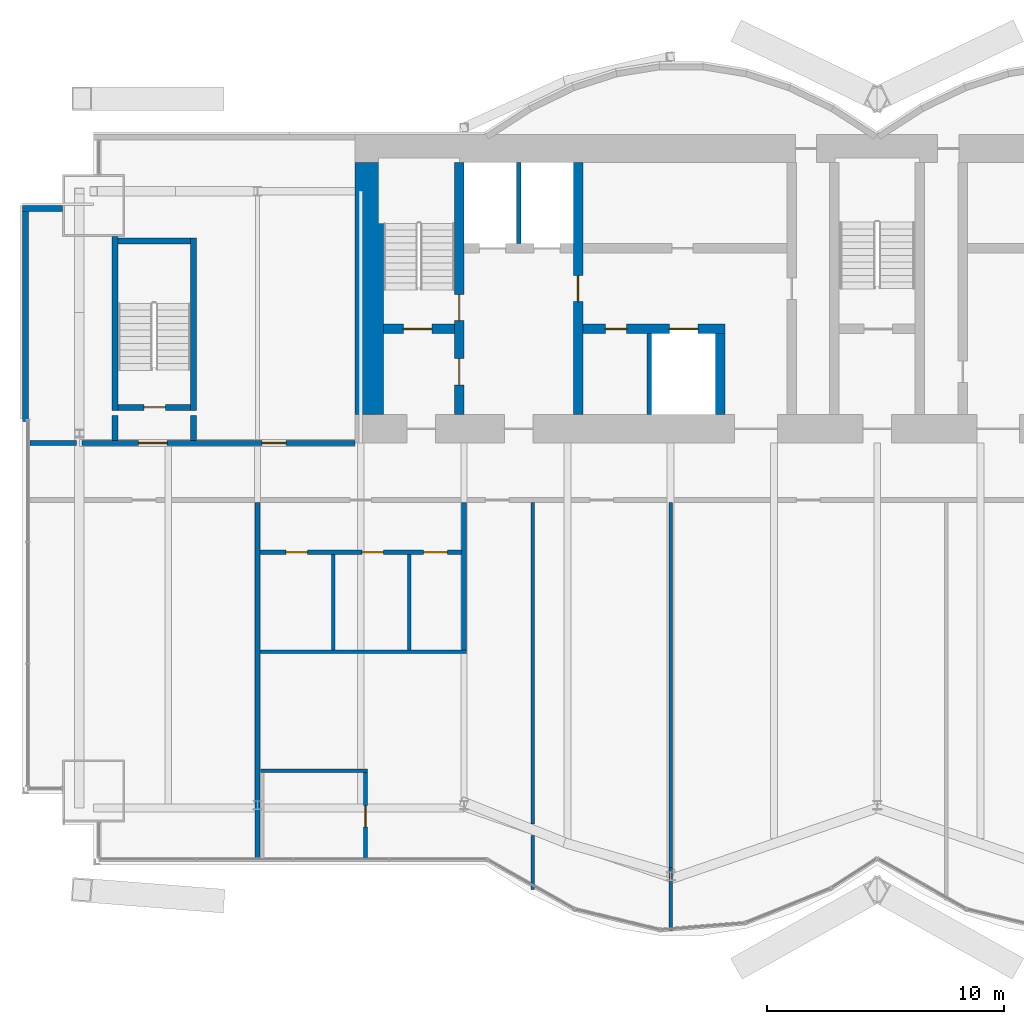
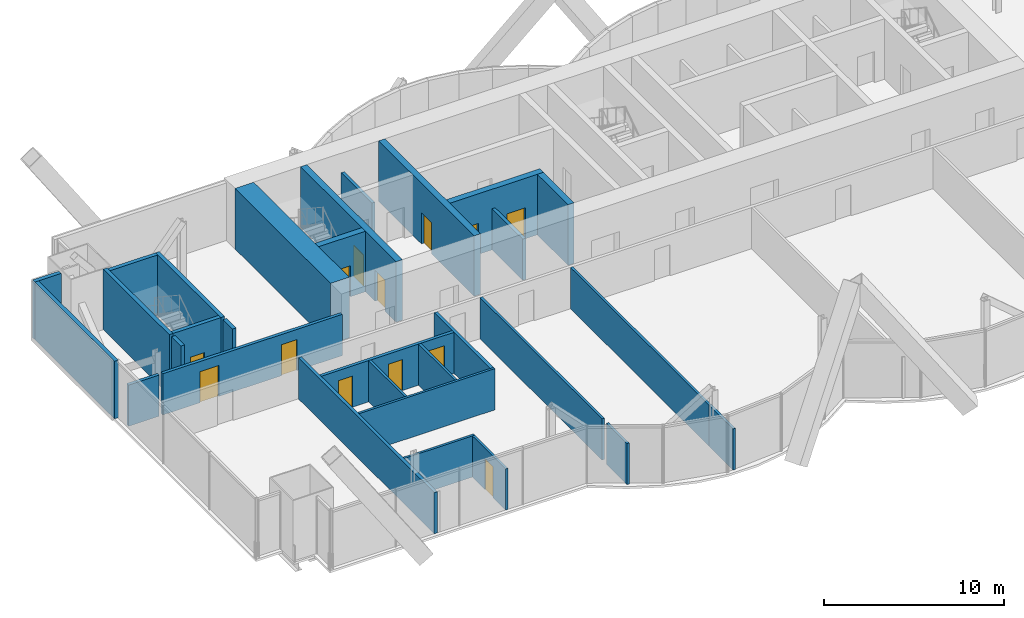
# One storey, part 14 of 20: 30 walls, 13 doors, 13 openings.
"""IFC4 building model written with IfcOpenShell, lengths in metres."""

import ifcopenshell
import ifcopenshell.guid

model = None  # the IFC model being written
_history = None  # IfcOwnerHistory: only IFC2X3 demands one
_inside = {}  # id of a spatial element -> (the spatial element, [elements in it])
_under = {}  # id of a project, library or spatial element -> (it, [spatial elements below it])
_declared = {}  # id of a project -> (the project, [libraries it declares])
_typed = {}  # id of a type object -> (the type object, [elements of that type])
_made_of = {}  # id of a material, layer set ... -> (it, [elements and type objects made of it])


def new_model(schema):
    """Start an empty IFC model of exactly this schema.

    Asked for "IFC4X3", IfcOpenShell would pick the latest addendum, in which some entities
    have other attributes; the version numbers below select the first issue.
    IFC2X3 requires an IfcOwnerHistory on every rooted entity: one is made here for all.
    """
    global model, _history
    if schema == "IFC4X3":
        model = ifcopenshell.file(schema_version=(4, 3, 0, 0))
    else:
        model = ifcopenshell.file(schema=schema)
    _inside.clear()
    _under.clear()
    _declared.clear()
    _typed.clear()
    _made_of.clear()
    _history = None
    if model.schema == "IFC2X3":
        org = make("IfcOrganization", Name="unknown")
        user = make(
            "IfcPersonAndOrganization",
            ThePerson=make("IfcPerson", FamilyName="unknown"),
            TheOrganization=org,
        )
        app = make(
            "IfcApplication",
            ApplicationDeveloper=org,
            Version="unknown",
            ApplicationFullName="unknown",
            ApplicationIdentifier="unknown",
        )
        _history = make(
            "IfcOwnerHistory",
            OwningUser=user,
            OwningApplication=app,
            ChangeAction="ADDED",
            CreationDate=0,
        )
    return model


def make(cls, **values):
    """One entity of the class cls with the attributes given. An attribute that is None is left unset."""
    return model.create_entity(
        cls, **{name: value for name, value in values.items() if value is not None}
    )


def rooted(cls, **values):
    """An entity with a GlobalId (a new one), such as an element, a storey or a relation."""
    return make(cls, GlobalId=ifcopenshell.guid.new(), OwnerHistory=_history, **values)


def si_unit(unit_type, name, prefix=None):
    """IfcSIUnit, for example si_unit("LENGTHUNIT", "METRE", prefix="MILLI")."""
    return make("IfcSIUnit", UnitType=unit_type, Prefix=prefix, Name=name)


def assignment(units):
    """IfcUnitAssignment: the units of a project."""
    return None if units is None else make("IfcUnitAssignment", Units=units)


def point(xyz):
    """IfcCartesianPoint."""
    return None if xyz is None else make("IfcCartesianPoint", Coordinates=xyz)


def direction(xyz):
    """IfcDirection."""
    return None if xyz is None else make("IfcDirection", DirectionRatios=xyz)


def frame(location, z_axis=None, x_axis=None):
    """IfcAxis2Placement3D, a coordinate frame: its origin and axes. An axis left out is left unset."""
    return make(
        "IfcAxis2Placement3D",
        Location=point(location),
        Axis=direction(z_axis),
        RefDirection=direction(x_axis),
    )


def frame_2d(location, x_axis=None):
    """IfcAxis2Placement2D, a coordinate frame in the plane: its origin and x axis."""
    return make(
        "IfcAxis2Placement2D", Location=point(location), RefDirection=direction(x_axis)
    )


def origin():
    """The frame at (0, 0, 0) with its axes left unset."""
    return frame((0.0, 0.0, 0.0))


def place(relative_to, where):
    """IfcLocalPlacement: puts the frame where relative to a parent placement (None: the world)."""
    return make(
        "IfcLocalPlacement", PlacementRelTo=relative_to, RelativePlacement=where
    )


def context(
    kind, dimensions, precision=None, world=None, true_north=None, identifier=None
):
    """IfcGeometricRepresentationContext, for example the 3D "Model" context."""
    return make(
        "IfcGeometricRepresentationContext",
        ContextIdentifier=identifier,
        ContextType=kind,
        CoordinateSpaceDimension=dimensions,
        Precision=precision,
        WorldCoordinateSystem=world,
        TrueNorth=true_north,
    )


def subcontext(parent, identifier, kind, view, scale=None):
    """IfcGeometricRepresentationSubContext, for example "Body" below "Model"."""
    return make(
        "IfcGeometricRepresentationSubContext",
        ContextIdentifier=identifier,
        ContextType=kind,
        ParentContext=parent,
        TargetScale=scale,
        TargetView=view,
    )


def project(units=None, contexts=None):
    """IfcProject with its units and contexts."""
    return rooted(
        "IfcProject",
        Name="project",
        RepresentationContexts=contexts,
        UnitsInContext=assignment(units),
    )


def spatial(cls, under=None, at=None, **own):
    """A site, building, storey or space (cls), placed at a placement, below another one or the project."""
    s = rooted(cls, ObjectPlacement=at, **own)
    if under is not None:
        _under.setdefault(under.id(), (under, []))[1].append(s)
    return s


def profile(cls, at=None, kind="AREA", **sizes):
    """A parametric profile (cls). Its sizes go by their IFC names, for example OverallWidth=200.0."""
    return make(cls, ProfileType=kind, Position=at, **sizes)


def rectangle(**sizes):
    """IfcRectangleProfileDef."""
    return profile("IfcRectangleProfileDef", **sizes)


def extrude(swept, where, along, depth):
    """IfcExtrudedAreaSolid: the profile swept, set in the frame where, extruded along a direction by depth."""
    return make(
        "IfcExtrudedAreaSolid",
        SweptArea=swept,
        Position=where,
        ExtrudedDirection=direction(along),
        Depth=depth,
    )


def shape(context_of_items, identifier, shape_type, items):
    """IfcShapeRepresentation: the items that make up one representation, for example the "Body"."""
    return make(
        "IfcShapeRepresentation",
        ContextOfItems=context_of_items,
        RepresentationIdentifier=identifier,
        RepresentationType=shape_type,
        Items=items,
    )


def material(Name=None, Category=None):
    """IfcMaterial."""
    return make("IfcMaterial", Name=Name, Category=Category)


def layer(
    of_material, thickness, ventilated=None, Name=None, Category=None, Priority=None
):
    """IfcMaterialLayer: one layer of a wall or slab, of a material (None: an air gap)."""
    return make(
        "IfcMaterialLayer",
        Material=of_material,
        LayerThickness=thickness,
        IsVentilated=ventilated,
        Name=Name,
        Category=Category,
        Priority=Priority,
    )


def layer_set(layers, Name=None):
    """IfcMaterialLayerSet."""
    return make("IfcMaterialLayerSet", MaterialLayers=layers, LayerSetName=Name)


def layer_usage(for_layer_set, set_direction, sense, offset, extent=None):
    """IfcMaterialLayerSetUsage: how a layer set lies in its element."""
    return make(
        "IfcMaterialLayerSetUsage",
        ForLayerSet=for_layer_set,
        LayerSetDirection=set_direction,
        DirectionSense=sense,
        OffsetFromReferenceLine=offset,
        ReferenceExtent=extent,
    )


def made_of(thing, what):
    """Note that an element or type object is made of a material, layer set ...; save() writes the relation."""
    if what is not None:
        _made_of.setdefault(what.id(), (what, []))[1].append(thing)
    return thing


def type_object(cls, material=None, **own):
    """A type object (cls), such as IfcWallType, which elements share."""
    return made_of(rooted(cls, **own), material)


def element(
    cls,
    number,
    at=None,
    inside=None,
    cuts=None,
    type_object=None,
    material=None,
    context=None,
    identifier="Body",
    shape_type=None,
    held_by="IfcProductDefinitionShape",
    body=None,
    shapes=None,
    **own,
):
    """One element of the class cls, such as IfcWall. Its Tag is "e" and its number.

    at: its placement. inside: the storey or other place that contains it. cuts: it is an
    opening in that element (IfcRelVoidsElement). A single representation is given by context,
    identifier, shape_type and body (its items); several are given by shapes. held_by: the class
    of the entity that holds the representations. save() writes the other relations.
    """
    e = rooted(cls, Tag="e%d" % number, ObjectPlacement=at, **own)
    if body is not None:
        shapes = [shape(context, identifier, shape_type, body)]
    if shapes is not None:
        e.Representation = make(held_by, Representations=shapes)
    if inside is not None:
        _inside.setdefault(inside.id(), (inside, []))[1].append(e)
    if cuts is not None:
        rooted(
            "IfcRelVoidsElement", RelatingBuildingElement=cuts, RelatedOpeningElement=e
        )
    if type_object is not None:
        _typed.setdefault(type_object.id(), (type_object, []))[1].append(e)
    return made_of(e, material)


def fill(opening, filler):
    """IfcRelFillsElement: the door or window that sits in an opening."""
    return rooted(
        "IfcRelFillsElement",
        RelatingOpeningElement=opening,
        RelatedBuildingElement=filler,
    )


def aggregate(whole, parts):
    """IfcRelAggregates: a whole, such as a stair, and the parts it consists of."""
    return rooted("IfcRelAggregates", RelatingObject=whole, RelatedObjects=parts)


def save(model, path):
    """Write the relations noted so far, then the file.

    IfcRelAggregates (storeys below a building ...), IfcRelContainedInSpatialStructure (elements
    in a storey), IfcRelDefinesByType, IfcRelAssociatesMaterial and IfcRelDeclares: one each for
    every whole, place, type object, material and project.
    """
    for whole, parts in _under.values():
        aggregate(whole, parts)
    for where, things in _inside.values():
        rooted(
            "IfcRelContainedInSpatialStructure",
            RelatedElements=things,
            RelatingStructure=where,
        )
    for kind, things in _typed.values():
        rooted("IfcRelDefinesByType", RelatedObjects=things, RelatingType=kind)
    for what, things in _made_of.values():
        rooted("IfcRelAssociatesMaterial", RelatedObjects=things, RelatingMaterial=what)
    for by, libraries in _declared.values():
        rooted("IfcRelDeclares", RelatingContext=by, RelatedDefinitions=libraries)
    model.write(path)


model = new_model("IFC4")

# Units and contexts
model_context = context("Model", 3, precision=1e-05, world=origin(), true_north=direction((0.0, 1.0)))
body_context = subcontext(model_context, "Body", "Model", "MODEL_VIEW")
ifc_project = project(units=[si_unit("LENGTHUNIT", "METRE"), si_unit("AREAUNIT", "SQUARE_METRE"), si_unit("VOLUMEUNIT", "CUBIC_METRE"), si_unit("PLANEANGLEUNIT", "RADIAN"), si_unit("MASSUNIT", "GRAM", prefix="KILO")], contexts=[model_context])

# Site, building, storey
site_placement = place(None, origin())
site = spatial("IfcSite", under=ifc_project, at=site_placement, CompositionType="ELEMENT")
building_placement = place(site_placement, origin())
building = spatial("IfcBuilding", under=site, at=building_placement, Name="Bicima Exchange Tower", CompositionType="ELEMENT")
storey_placement = place(building_placement, frame((0.0, 0.0, 231.89990234375)))
storey = spatial("IfcBuildingStorey", under=building, at=storey_placement, Name="L52", CompositionType="ELEMENT", Elevation=231.89990234375)

# Walls
ifc_material_1 = material(Name="Gypsum board partition")
ifc_layer_1 = layer(ifc_material_1, 0.199951171875)
ifc_layer_set_1 = layer_set([ifc_layer_1], Name="Gypsum board partition")
wall_type_1 = type_object("IfcWallType", Name="Fire-rated gypsum partition 200 EI120", PredefinedType="PARTITIONING", material=ifc_layer_set_1)
for number, where, z_axis, x_axis, name in (
    (1, (-15.10009765625, -4.60009765625, 0.0), (0.0, 0.0, 1.0), (0.0, 1.0, 0.0), "partition wall 9"),
    (2, (-9.60009765625, -11.800048828125, 0.0), (0.0, 0.0, 1.0), (0.0, 1.0, 0.0), "partition wall 11"),
):
    element("IfcWall", number, at=place(storey_placement, frame(where, z_axis=z_axis, x_axis=x_axis)), inside=storey, type_object=wall_type_1, Name=name, PredefinedType="PARTITIONING", context=body_context, shape_type="SweptSolid", body=[
        extrude(rectangle(XDim=3.400146484375, YDim=0.199951171875, at=frame_2d((1.7001953125, 0.0))), origin(), (0.0, 0.0, 1.0), 2.790283203125),
    ])

# Wall, openings, doors
ifc_layer_2 = layer(ifc_material_1, 0.199951171875)
ifc_layer_set_2 = layer_set([ifc_layer_2], Name="Gypsum board partition")
wall_type_2 = type_object("IfcWallType", Name="Fire-rated gypsum partition 200 EI60", PredefinedType="PARTITIONING", material=ifc_layer_set_2)
wall_1_placement = place(storey_placement, frame((-26.0, -17.60009765625, 0.0), z_axis=(0.0, 0.0, 1.0), x_axis=(1.0, 0.0, 0.0)))
wall_1 = element("IfcWall", 3, at=wall_1_placement, inside=storey, type_object=wall_type_2, Name="partition wall 3", PredefinedType="PARTITIONING", context=body_context, shape_type="SweptSolid", body=[
    extrude(rectangle(XDim=8.5, YDim=0.199951171875, at=frame_2d((4.25, 0.0))), origin(), (0.0, 0.0, 1.0), 2.790283203125),
])
opening_1_placement = place(wall_1_placement, frame((1.10009765625, 0.0, 0.0)))
opening_1 = element("IfcOpeningElement", 4, at=opening_1_placement, cuts=wall_1, Name="Opening L52-009", PredefinedType="OPENING", context=body_context, shape_type="SweptSolid", body=[
    extrude(rectangle(XDim=0.89990234375, YDim=2.10009765625, at=frame_2d((0.449951171875, 1.050048828125))), frame((0.0, 0.11181640625, 0.0), z_axis=(0.0, -1.0, 0.0), x_axis=(1.0, 0.0, 0.0)), (0.0, 0.0, 1.0), 0.223876953125),
])
opening_2_placement = place(wall_1_placement, frame((4.300048828125, 0.0, 0.0)))
opening_2 = element("IfcOpeningElement", 5, at=opening_2_placement, cuts=wall_1, Name="Opening L52-010", PredefinedType="OPENING", context=body_context, shape_type="SweptSolid", body=[
    extrude(rectangle(XDim=0.89990234375, YDim=2.10009765625, at=frame_2d((0.449951171875, 1.050048828125))), frame((0.0, 0.11181640625, 0.0), z_axis=(0.0, -1.0, 0.0), x_axis=(1.0, 0.0, 0.0)), (0.0, 0.0, 1.0), 0.223876953125),
])
opening_3_placement = place(wall_1_placement, frame((6.89990234375, 0.0, 0.0)))
opening_3 = element("IfcOpeningElement", 6, at=opening_3_placement, cuts=wall_1, Name="Opening L52-011", PredefinedType="OPENING", context=body_context, shape_type="SweptSolid", body=[
    extrude(rectangle(XDim=1.0, YDim=2.10009765625, at=frame_2d((0.5, 1.050048828125))), frame((0.0, 0.11181640625, 0.0), z_axis=(0.0, -1.0, 0.0), x_axis=(1.0, 0.0, 0.0)), (0.0, 0.0, 1.0), 0.223876953125),
])
ifc_material_2 = material(Name="Steel fire door leaf", Category="steel")
door_type_1 = type_object("IfcDoorType", Name="Door 1000 swing FD30S", OperationType="SINGLE_SWING_LEFT", PredefinedType="DOOR", material=ifc_material_2)
door_1_placement = place(opening_3_placement, frame((1.0, 0.0, 0.0), z_axis=(0.0, 0.0, 1.0), x_axis=(-1.0, 0.0, 0.0)))
door_1 = element("IfcDoor", 7, at=door_1_placement, inside=storey, type_object=door_type_1, Name="Door", OperationType="SINGLE_SWING_RIGHT", OverallHeight=2.10009765625, OverallWidth=1.0, PredefinedType="DOOR", context=body_context, shape_type="SweptSolid", body=[
    extrude(rectangle(XDim=1.0, YDim=2.10009765625, at=frame_2d((0.5, 1.050048828125))), frame((0.0, 0.02490234375, 0.0), z_axis=(0.0, -1.0, 0.0), x_axis=(1.0, 0.0, 0.0)), (0.0, 0.0, 1.0), 0.050048828125),
])
fill(opening_3, door_1)
door_type_2 = type_object("IfcDoorType", Name="Door 900 swing FD30S", OperationType="SINGLE_SWING_LEFT", PredefinedType="DOOR", material=ifc_material_2)
door_2_placement = place(opening_1_placement, frame((0.89990234375, 0.0, 0.0), z_axis=(0.0, 0.0, 1.0), x_axis=(-1.0, 0.0, 0.0)))
door_2 = element("IfcDoor", 8, at=door_2_placement, inside=storey, type_object=door_type_2, Name="Door", OperationType="SINGLE_SWING_RIGHT", OverallHeight=2.10009765625, OverallWidth=0.89990234375, PredefinedType="DOOR", context=body_context, shape_type="SweptSolid", body=[
    extrude(rectangle(XDim=0.89990234375, YDim=2.10009765625, at=frame_2d((0.449951171875, 1.050048828125))), frame((0.0, 0.02490234375, 0.0), z_axis=(0.0, -1.0, 0.0), x_axis=(1.0, 0.0, 0.0)), (0.0, 0.0, 1.0), 0.050048828125),
])
fill(opening_1, door_2)
door_3_placement = place(opening_2_placement, frame((0.89990234375, 0.0, 0.0), z_axis=(0.0, 0.0, 1.0), x_axis=(-1.0, 0.0, 0.0)))
door_3 = element("IfcDoor", 9, at=door_3_placement, inside=storey, type_object=door_type_2, Name="Door", OperationType="SINGLE_SWING_LEFT", OverallHeight=2.10009765625, OverallWidth=0.89990234375, PredefinedType="DOOR", context=body_context, shape_type="SweptSolid", body=[
    extrude(rectangle(XDim=0.89990234375, YDim=2.10009765625, at=frame_2d((0.449951171875, 1.050048828125))), frame((0.0, 0.02490234375, 0.0), z_axis=(0.0, -1.0, 0.0), x_axis=(1.0, 0.0, 0.0)), (0.0, 0.0, 1.0), 0.050048828125),
])
fill(opening_2, door_3)

# Wall
wall_2_placement = place(storey_placement, frame((-35.679931640625, -13.0, 0.0), z_axis=(0.0, 0.0, 1.0), x_axis=(1.0, 0.0, 0.0)))
element("IfcWall", 10, at=wall_2_placement, inside=storey, type_object=wall_type_2, Name="partition wall 5", PredefinedType="PARTITIONING", context=body_context, shape_type="SweptSolid", body=[
    extrude(rectangle(XDim=1.9599609375, YDim=0.199951171875, at=frame_2d((0.97998046875, 0.0))), origin(), (0.0, 0.0, 1.0), 2.790283203125),
])

# Wall, openings, doors
wall_3_placement = place(storey_placement, frame((-33.47998046875, -13.0, 0.0), z_axis=(0.0, 0.0, 1.0), x_axis=(1.0, 0.0, 0.0)))
wall_3 = element("IfcWall", 11, at=wall_3_placement, inside=storey, type_object=wall_type_2, Name="partition wall 6", PredefinedType="PARTITIONING", context=body_context, shape_type="SweptSolid", body=[
    extrude(rectangle(XDim=11.47998046875, YDim=0.199951171875, at=frame_2d((5.739990234375, 0.0))), origin(), (0.0, 0.0, 1.0), 2.790283203125),
])
opening_4_placement = place(wall_3_placement, frame((2.3798828125, 0.0, 0.0)))
opening_4 = element("IfcOpeningElement", 12, at=opening_4_placement, cuts=wall_3, Name="Opening L52-001", PredefinedType="OPENING", context=body_context, shape_type="SweptSolid", body=[
    extrude(rectangle(XDim=1.199951171875, YDim=2.10009765625, at=frame_2d((0.60009765625, 1.050048828125))), frame((0.0, 0.11181640625, 0.0), z_axis=(0.0, -1.0, 0.0), x_axis=(1.0, 0.0, 0.0)), (0.0, 0.0, 1.0), 0.223876953125),
])
opening_5_placement = place(wall_3_placement, frame((7.580078125, 0.0, 0.0)))
opening_5 = element("IfcOpeningElement", 13, at=opening_5_placement, cuts=wall_3, Name="Opening L52-005", PredefinedType="OPENING", context=body_context, shape_type="SweptSolid", body=[
    extrude(rectangle(XDim=1.0, YDim=2.10009765625, at=frame_2d((0.5, 1.050048828125))), frame((0.0, 0.11181640625, 0.0), z_axis=(0.0, -1.0, 0.0), x_axis=(1.0, 0.0, 0.0)), (0.0, 0.0, 1.0), 0.223876953125),
])
door_4_placement = place(opening_5_placement, origin())
door_4 = element("IfcDoor", 14, at=door_4_placement, inside=storey, type_object=door_type_1, Name="Door", OperationType="SINGLE_SWING_LEFT", OverallHeight=2.10009765625, OverallWidth=1.0, PredefinedType="DOOR", context=body_context, shape_type="SweptSolid", body=[
    extrude(rectangle(XDim=1.0, YDim=2.10009765625, at=frame_2d((0.5, 1.050048828125))), frame((0.0, 0.02490234375, 0.0), z_axis=(0.0, -1.0, 0.0), x_axis=(1.0, 0.0, 0.0)), (0.0, 0.0, 1.0), 0.050048828125),
])
fill(opening_5, door_4)
door_type_3 = type_object("IfcDoorType", Name="Door 1200 swing FD30S", OperationType="SINGLE_SWING_LEFT", PredefinedType="DOOR", material=ifc_material_2)
door_5_placement = place(opening_4_placement, origin())
door_5 = element("IfcDoor", 15, at=door_5_placement, inside=storey, type_object=door_type_3, Name="Door", OperationType="SINGLE_SWING_LEFT", OverallHeight=2.10009765625, OverallWidth=1.199951171875, PredefinedType="DOOR", context=body_context, shape_type="SweptSolid", body=[
    extrude(rectangle(XDim=1.199951171875, YDim=2.10009765625, at=frame_2d((0.60009765625, 1.050048828125))), frame((0.0, 0.02490234375, 0.0), z_axis=(0.0, -1.0, 0.0), x_axis=(1.0, 0.0, 0.0)), (0.0, 0.0, 1.0), 0.050048828125),
])
fill(opening_4, door_5)

# Walls
wall_4_placement = place(storey_placement, frame((-26.10009765625, -30.570068359375, 0.0), z_axis=(0.0, 0.0, 1.0), x_axis=(0.0, 1.0, 0.0)))
element("IfcWall", 16, at=wall_4_placement, inside=storey, type_object=wall_type_2, Name="partition wall 15", PredefinedType="PARTITIONING", context=body_context, shape_type="SweptSolid", body=[
    extrude(rectangle(XDim=15.070068359375, YDim=0.199951171875, at=frame_2d((7.53515625, 0.0))), origin(), (0.0, 0.0, 1.0), 2.790283203125),
])
wall_5_placement = place(storey_placement, frame((-17.39990234375, -21.72509765625, 0.0), z_axis=(0.0, 0.0, 1.0), x_axis=(0.0, 1.0, 0.0)))
element("IfcWall", 17, at=wall_5_placement, inside=storey, type_object=wall_type_2, Name="partition wall 20", PredefinedType="PARTITIONING", context=body_context, shape_type="SweptSolid", body=[
    extrude(rectangle(XDim=6.22509765625, YDim=0.199951171875, at=frame_2d((3.112548828125, 0.0))), origin(), (0.0, 0.0, 1.0), 2.790283203125),
])
ifc_layer_3 = layer(ifc_material_1, 0.14990234375)
ifc_layer_set_3 = layer_set([ifc_layer_3], Name="Gypsum board partition")
wall_type_3 = type_object("IfcWallType", Name="Gypsum partition 150", PredefinedType="PARTITIONING", material=ifc_layer_set_3)
wall_6_placement = place(storey_placement, frame((-25.97509765625, -26.81005859375, 0.0), z_axis=(0.0, 0.0, 1.0), x_axis=(1.0, 0.0, 0.0)))
element("IfcWall", 18, at=wall_6_placement, inside=storey, type_object=wall_type_3, Name="partition wall 1", PredefinedType="PARTITIONING", context=body_context, shape_type="SweptSolid", body=[
    extrude(rectangle(XDim=4.5, YDim=0.14990234375, at=frame_2d((2.25, 0.0))), origin(), (0.0, 0.0, 1.0), 2.790283203125),
])
wall_7_placement = place(storey_placement, frame((-26.0, -21.800048828125, 0.0), z_axis=(0.0, 0.0, 1.0), x_axis=(1.0, 0.0, 0.0)))
element("IfcWall", 19, at=wall_7_placement, inside=storey, type_object=wall_type_3, Name="partition wall 2", PredefinedType="PARTITIONING", context=body_context, shape_type="SweptSolid", body=[
    extrude(rectangle(XDim=8.699951171875, YDim=0.14990234375, at=frame_2d((4.35009765625, 0.0))), origin(), (0.0, 0.0, 1.0), 2.790283203125),
])
wall_8_placement = place(storey_placement, frame((-22.89990234375, -21.72509765625, 0.0), z_axis=(0.0, 0.0, 1.0), x_axis=(0.0, 1.0, 0.0)))
element("IfcWall", 20, at=wall_8_placement, inside=storey, type_object=wall_type_3, Name="partition wall 17", PredefinedType="PARTITIONING", context=body_context, shape_type="SweptSolid", body=[
    extrude(rectangle(XDim=4.025146484375, YDim=0.14990234375, at=frame_2d((2.0126953125, 0.0))), origin(), (0.0, 0.0, 1.0), 2.790283203125),
])

# Wall, opening, door
wall_9_placement = place(storey_placement, frame((-21.550048828125, -30.570068359375, 0.0), z_axis=(0.0, 0.0, 1.0), x_axis=(0.0, 1.0, 0.0)))
wall_9 = element("IfcWall", 21, at=wall_9_placement, inside=storey, type_object=wall_type_3, Name="partition wall 18", PredefinedType="PARTITIONING", context=body_context, shape_type="SweptSolid", body=[
    extrude(rectangle(XDim=3.68505859375, YDim=0.14990234375, at=frame_2d((1.842529296875, 0.0))), origin(), (0.0, 0.0, 1.0), 2.790283203125),
])
opening_6_placement = place(wall_9_placement, frame((1.39990234375, 0.0, 0.0)))
opening_6 = element("IfcOpeningElement", 22, at=opening_6_placement, cuts=wall_9, Name="Opening L52-018", PredefinedType="OPENING", context=body_context, shape_type="SweptSolid", body=[
    extrude(rectangle(XDim=0.89990234375, YDim=2.10009765625, at=frame_2d((0.449951171875, 1.050048828125))), frame((0.0, 0.0869140625, 0.0), z_axis=(0.0, -1.0, 0.0), x_axis=(1.0, 0.0, 0.0)), (0.0, 0.0, 1.0), 0.173828125),
])
ifc_material_3 = material(Name="Timber door leaf", Category="wood")
door_type_4 = type_object("IfcDoorType", Name="Door 900 swing", OperationType="SINGLE_SWING_LEFT", PredefinedType="DOOR", material=ifc_material_3)
door_6_placement = place(opening_6_placement, origin())
door_6 = element("IfcDoor", 23, at=door_6_placement, inside=storey, type_object=door_type_4, Name="Door", OperationType="SINGLE_SWING_RIGHT", OverallHeight=2.10009765625, OverallWidth=0.89990234375, PredefinedType="DOOR", context=body_context, shape_type="SweptSolid", body=[
    extrude(rectangle(XDim=0.89990234375, YDim=2.10009765625, at=frame_2d((0.449951171875, 1.050048828125))), frame((0.0, 0.02490234375, 0.0), z_axis=(0.0, -1.0, 0.0), x_axis=(1.0, 0.0, 0.0)), (0.0, 0.0, 1.0), 0.050048828125),
])
fill(opening_6, door_6)

# Walls
wall_10_placement = place(storey_placement, frame((-19.699951171875, -21.72509765625, 0.0), z_axis=(0.0, 0.0, 1.0), x_axis=(0.0, 1.0, 0.0)))
element("IfcWall", 24, at=wall_10_placement, inside=storey, type_object=wall_type_3, Name="partition wall 19", PredefinedType="PARTITIONING", context=body_context, shape_type="SweptSolid", body=[
    extrude(rectangle(XDim=4.025146484375, YDim=0.14990234375, at=frame_2d((2.0126953125, 0.0))), origin(), (0.0, 0.0, 1.0), 2.790283203125),
])
wall_11_placement = place(storey_placement, frame((-14.5, -31.81005859375, 0.0), z_axis=(0.0, 0.0, 1.0), x_axis=(0.0, 1.0, 0.0)))
element("IfcWall", 25, at=wall_11_placement, inside=storey, type_object=wall_type_3, Name="partition wall 21", PredefinedType="PARTITIONING", context=body_context, shape_type="SweptSolid", body=[
    extrude(rectangle(XDim=2.274658203125, YDim=0.14990234375, at=frame_2d((1.13720703125, 0.0))), origin(), (0.0, 0.0, 1.0), 2.790283203125),
])
wall_12_placement = place(storey_placement, frame((-14.5, -29.0478515625, 0.0), z_axis=(0.0, 0.0, 1.0), x_axis=(0.0, 1.0, 0.0)))
element("IfcWall", 26, at=wall_12_placement, inside=storey, type_object=wall_type_3, Name="partition wall 22", PredefinedType="PARTITIONING", context=body_context, shape_type="SweptSolid", body=[
    extrude(rectangle(XDim=13.5478515625, YDim=0.14990234375, at=frame_2d((6.77392578125, 0.0))), origin(), (0.0, 0.0, 1.0), 2.790283203125),
])
wall_13_placement = place(storey_placement, frame((-8.699951171875, -33.530029296875, 0.0), z_axis=(0.0, 0.0, 1.0), x_axis=(0.0, 1.0, 0.0)))
element("IfcWall", 27, at=wall_13_placement, inside=storey, type_object=wall_type_3, Name="partition wall 23", PredefinedType="PARTITIONING", context=body_context, shape_type="SweptSolid", body=[
    extrude(rectangle(XDim=2.644287109375, YDim=0.14990234375, at=frame_2d((1.322265625, 0.0))), origin(), (0.0, 0.0, 1.0), 2.790283203125),
])
wall_14_placement = place(storey_placement, frame((-8.699951171875, -30.8857421875, 0.0), z_axis=(0.0, 0.0, 1.0), x_axis=(0.0, 1.0, 0.0)))
element("IfcWall", 28, at=wall_14_placement, inside=storey, type_object=wall_type_3, Name="partition wall 24", PredefinedType="PARTITIONING", context=body_context, shape_type="SweptSolid", body=[
    extrude(rectangle(XDim=15.3857421875, YDim=0.14990234375, at=frame_2d((7.69287109375, 0.0))), origin(), (0.0, 0.0, 1.0), 2.790283203125),
])
ifc_material_4 = material(Name="Concrete C50/60", Category="concrete")
ifc_layer_4 = layer(ifc_material_4, 1.199951171875)
ifc_layer_set_4 = layer_set([ifc_layer_4], Name="Concrete C50/60")
wall_type_4 = type_object("IfcWallType", Name="RC core wall 1200 C50/60", PredefinedType="SHEAR", material=ifc_layer_set_4)
wall_15_placement = place(storey_placement, frame((-21.39990234375, -11.800048828125, 0.0), z_axis=(0.0, 0.0, 1.0), x_axis=(0.0, 1.0, 0.0)))
element("IfcWall", 29, at=wall_15_placement, inside=storey, type_object=wall_type_4, Name="Core wall west", PredefinedType="SHEAR", context=body_context, shape_type="SweptSolid", body=[
    extrude(rectangle(XDim=10.60009765625, YDim=1.199951171875, at=frame_2d((5.300048828125, 0.0))), origin(), (0.0, 0.0, 1.0), 4.10009765625),
])
ifc_layer_5 = layer(ifc_material_4, 0.25)
ifc_layer_set_5 = layer_set([ifc_layer_5], Name="Concrete C50/60")
wall_type_5 = type_object("IfcWallType", Name="RC core wall 250 C50/60", PredefinedType="SHEAR", material=ifc_layer_set_5)
for number, where, z_axis, x_axis, name in (
    (30, (-32.10009765625, -12.89990234375, 0.0), (0.0, 0.0, 1.0), (0.0, 1.0, 0.0), "stair wall 13"),
    (31, (-28.800048828125, -12.89990234375, 0.0), (0.0, 0.0, 1.0), (0.0, 1.0, 0.0), "stair wall 14"),
):
    element("IfcWall", number, at=place(storey_placement, frame(where, z_axis=z_axis, x_axis=x_axis)), inside=storey, type_object=wall_type_5, Name=name, PredefinedType="SHEAR", context=body_context, shape_type="SweptSolid", body=[
        extrude(rectangle(XDim=1.0498046875, YDim=0.25, at=frame_2d((0.52490234375, 0.0))), origin(), (0.0, 0.0, 1.0), 4.10009765625),
    ])

# Wall, opening, door
ifc_layer_6 = layer(ifc_material_4, 0.39990234375)
ifc_layer_set_6 = layer_set([ifc_layer_6], Name="Concrete C50/60")
wall_type_6 = type_object("IfcWallType", Name="RC core wall 400 C50/60", PredefinedType="SHEAR", material=ifc_layer_set_6)
wall_16_placement = place(storey_placement, frame((-20.800048828125, -8.199951171875, 0.0), z_axis=(0.0, 0.0, 1.0), x_axis=(1.0, 0.0, 0.0)))
wall_16 = element("IfcWall", 32, at=wall_16_placement, inside=storey, type_object=wall_type_6, Name="stair wall 1", PredefinedType="SHEAR", context=body_context, shape_type="SweptSolid", body=[
    extrude(rectangle(XDim=3.0, YDim=0.39990234375, at=frame_2d((1.5, 0.0))), origin(), (0.0, 0.0, 1.0), 4.10009765625),
])
opening_7_placement = place(wall_16_placement, frame((0.85009765625, 0.0, 0.0)))
opening_7 = element("IfcOpeningElement", 33, at=opening_7_placement, cuts=wall_16, Name="Opening L52-C01", PredefinedType="OPENING", context=body_context, shape_type="SweptSolid", body=[
    extrude(rectangle(XDim=1.199951171875, YDim=2.10009765625, at=frame_2d((0.60009765625, 1.050048828125))), frame((0.0, 0.2119140625, 0.0), z_axis=(0.0, -1.0, 0.0), x_axis=(1.0, 0.0, 0.0)), (0.0, 0.0, 1.0), 0.423828125),
])
door_type_5 = type_object("IfcDoorType", Name="Door 1200 swing FD60S", OperationType="SINGLE_SWING_LEFT", PredefinedType="DOOR", material=ifc_material_2)
door_7_placement = place(opening_7_placement, origin())
door_7 = element("IfcDoor", 34, at=door_7_placement, inside=storey, type_object=door_type_5, Name="Core door", OperationType="SINGLE_SWING_LEFT", OverallHeight=2.10009765625, OverallWidth=1.199951171875, PredefinedType="DOOR", context=body_context, shape_type="SweptSolid", body=[
    extrude(rectangle(XDim=1.199951171875, YDim=2.10009765625, at=frame_2d((0.60009765625, 1.050048828125))), frame((0.0, 0.02490234375, 0.0), z_axis=(0.0, -1.0, 0.0), x_axis=(1.0, 0.0, 0.0)), (0.0, 0.0, 1.0), 0.050048828125),
])
fill(opening_7, door_7)

# Wall, openings, doors
wall_17_placement = place(storey_placement, frame((-12.39990234375, -8.199951171875, 0.0), z_axis=(0.0, 0.0, 1.0), x_axis=(1.0, 0.0, 0.0)))
wall_17 = element("IfcWall", 35, at=wall_17_placement, inside=storey, type_object=wall_type_6, Name="shear wall 2", PredefinedType="SHEAR", context=body_context, shape_type="SweptSolid", body=[
    extrude(rectangle(XDim=6.0, YDim=0.39990234375, at=frame_2d((3.0, 0.0))), origin(), (0.0, 0.0, 1.0), 4.10009765625),
])
opening_8_placement = place(wall_17_placement, frame((3.64990234375, 0.0, 0.0)))
opening_8 = element("IfcOpeningElement", 36, at=opening_8_placement, cuts=wall_17, Name="Opening LD-MB1-L52", PredefinedType="OPENING", context=body_context, shape_type="SweptSolid", body=[
    extrude(rectangle(XDim=1.199951171875, YDim=2.10009765625, at=frame_2d((0.60009765625, 1.050048828125))), frame((0.0, 0.2119140625, 0.0), z_axis=(0.0, -1.0, 0.0), x_axis=(1.0, 0.0, 0.0)), (0.0, 0.0, 1.0), 0.423828125),
])
opening_9_placement = place(wall_17_placement, frame((0.949951171875, 0.0, 0.0)))
opening_9 = element("IfcOpeningElement", 37, at=opening_9_placement, cuts=wall_17, Name="Opening L52-C13", PredefinedType="OPENING", context=body_context, shape_type="SweptSolid", body=[
    extrude(rectangle(XDim=0.89990234375, YDim=2.10009765625, at=frame_2d((0.449951171875, 1.050048828125))), frame((0.0, 0.2119140625, 0.0), z_axis=(0.0, -1.0, 0.0), x_axis=(1.0, 0.0, 0.0)), (0.0, 0.0, 1.0), 0.423828125),
])
door_8_placement = place(opening_9_placement, frame((0.89990234375, 0.0, 0.0), z_axis=(0.0, 0.0, 1.0), x_axis=(-1.0, 0.0, 0.0)))
door_8 = element("IfcDoor", 38, at=door_8_placement, inside=storey, type_object=door_type_2, Name="Core door", OperationType="SINGLE_SWING_RIGHT", OverallHeight=2.10009765625, OverallWidth=0.89990234375, PredefinedType="DOOR", context=body_context, shape_type="SweptSolid", body=[
    extrude(rectangle(XDim=0.89990234375, YDim=2.10009765625, at=frame_2d((0.449951171875, 1.050048828125))), frame((0.0, 0.02490234375, 0.0), z_axis=(0.0, -1.0, 0.0), x_axis=(1.0, 0.0, 0.0)), (0.0, 0.0, 1.0), 0.050048828125),
])
fill(opening_9, door_8)
ifc_material_5 = material(Name="Stainless steel", Category="steel")
door_type_6 = type_object("IfcDoorType", Name="Lift landing door 1200 sliding", OperationType="DOUBLE_DOOR_SLIDING", PredefinedType="DOOR", material=ifc_material_5)
door_9_placement = place(opening_8_placement, origin())
door_9 = element("IfcDoor", 39, at=door_9_placement, inside=storey, type_object=door_type_6, Name="Lift landing door MB1", OperationType="DOUBLE_DOOR_SLIDING", OverallHeight=2.10009765625, OverallWidth=1.199951171875, PredefinedType="DOOR", context=body_context, shape_type="SweptSolid", body=[
    extrude(rectangle(XDim=1.199951171875, YDim=2.10009765625, at=frame_2d((0.60009765625, 1.050048828125))), frame((0.0, 0.02490234375, 0.0), z_axis=(0.0, -1.0, 0.0), x_axis=(1.0, 0.0, 0.0)), (0.0, 0.0, 1.0), 0.050048828125),
])
fill(opening_8, door_9)

wall_18_placement = place(storey_placement, frame((-17.60009765625, -11.800048828125, 0.0), z_axis=(0.0, 0.0, 1.0), x_axis=(0.0, 1.0, 0.0)))
wall_18 = element("IfcWall", 40, at=wall_18_placement, inside=storey, type_object=wall_type_6, Name="stair wall 8", PredefinedType="SHEAR", context=body_context, shape_type="SweptSolid", body=[
    extrude(rectangle(XDim=10.60009765625, YDim=0.39990234375, at=frame_2d((5.300048828125, 0.0))), origin(), (0.0, 0.0, 1.0), 4.10009765625),
])
opening_10_placement = place(wall_18_placement, frame((1.25, 0.0, 0.0)))
opening_10 = element("IfcOpeningElement", 41, at=opening_10_placement, cuts=wall_18, Name="Opening L52-C02", PredefinedType="OPENING", context=body_context, shape_type="SweptSolid", body=[
    extrude(rectangle(XDim=1.10009765625, YDim=2.10009765625, at=frame_2d((0.550048828125, 1.050048828125))), frame((0.0, 0.2119140625, 0.0), z_axis=(0.0, -1.0, 0.0), x_axis=(1.0, 0.0, 0.0)), (0.0, 0.0, 1.0), 0.423828125),
])
opening_11_placement = place(wall_18_placement, frame((3.949951171875, 0.0, 0.0)))
opening_11 = element("IfcOpeningElement", 42, at=opening_11_placement, cuts=wall_18, Name="Opening L52-C06", PredefinedType="OPENING", context=body_context, shape_type="SweptSolid", body=[
    extrude(rectangle(XDim=1.10009765625, YDim=2.10009765625, at=frame_2d((0.550048828125, 1.050048828125))), frame((0.0, 0.2119140625, 0.0), z_axis=(0.0, -1.0, 0.0), x_axis=(1.0, 0.0, 0.0)), (0.0, 0.0, 1.0), 0.423828125),
])
door_type_7 = type_object("IfcDoorType", Name="Door 1100 swing FD60S", OperationType="SINGLE_SWING_LEFT", PredefinedType="DOOR", material=ifc_material_2)
door_10_placement = place(opening_10_placement, frame((1.10009765625, 0.0, 0.0), z_axis=(0.0, 0.0, 1.0), x_axis=(-1.0, 0.0, 0.0)))
door_10 = element("IfcDoor", 43, at=door_10_placement, inside=storey, type_object=door_type_7, Name="Core door", OperationType="SINGLE_SWING_LEFT", OverallHeight=2.10009765625, OverallWidth=1.10009765625, PredefinedType="DOOR", context=body_context, shape_type="SweptSolid", body=[
    extrude(rectangle(XDim=1.10009765625, YDim=2.10009765625, at=frame_2d((0.550048828125, 1.050048828125))), frame((0.0, 0.02490234375, 0.0), z_axis=(0.0, -1.0, 0.0), x_axis=(1.0, 0.0, 0.0)), (0.0, 0.0, 1.0), 0.050048828125),
])
fill(opening_10, door_10)
door_11_placement = place(opening_11_placement, frame((1.10009765625, 0.0, 0.0), z_axis=(0.0, 0.0, 1.0), x_axis=(-1.0, 0.0, 0.0)))
door_11 = element("IfcDoor", 44, at=door_11_placement, inside=storey, type_object=door_type_7, Name="Core door", OperationType="SINGLE_SWING_LEFT", OverallHeight=2.10009765625, OverallWidth=1.10009765625, PredefinedType="DOOR", context=body_context, shape_type="SweptSolid", body=[
    extrude(rectangle(XDim=1.10009765625, YDim=2.10009765625, at=frame_2d((0.550048828125, 1.050048828125))), frame((0.0, 0.02490234375, 0.0), z_axis=(0.0, -1.0, 0.0), x_axis=(1.0, 0.0, 0.0)), (0.0, 0.0, 1.0), 0.050048828125),
])
fill(opening_11, door_11)

# Wall, opening, door
wall_19_placement = place(storey_placement, frame((-12.60009765625, -11.800048828125, 0.0), z_axis=(0.0, 0.0, 1.0), x_axis=(0.0, 1.0, 0.0)))
wall_19 = element("IfcWall", 45, at=wall_19_placement, inside=storey, type_object=wall_type_6, Name="shear wall 10", PredefinedType="SHEAR", context=body_context, shape_type="SweptSolid", body=[
    extrude(rectangle(XDim=10.60009765625, YDim=0.39990234375, at=frame_2d((5.300048828125, 0.0))), origin(), (0.0, 0.0, 1.0), 4.10009765625),
])
opening_12_placement = place(wall_19_placement, frame((4.75, 0.0, 0.0)))
opening_12 = element("IfcOpeningElement", 46, at=opening_12_placement, cuts=wall_19, Name="Opening L52-C07", PredefinedType="OPENING", context=body_context, shape_type="SweptSolid", body=[
    extrude(rectangle(XDim=1.10009765625, YDim=2.10009765625, at=frame_2d((0.550048828125, 1.050048828125))), frame((0.0, 0.2119140625, 0.0), z_axis=(0.0, -1.0, 0.0), x_axis=(1.0, 0.0, 0.0)), (0.0, 0.0, 1.0), 0.423828125),
])
door_12_placement = place(opening_12_placement, origin())
door_12 = element("IfcDoor", 47, at=door_12_placement, inside=storey, type_object=door_type_7, Name="Core door", OperationType="SINGLE_SWING_LEFT", OverallHeight=2.10009765625, OverallWidth=1.10009765625, PredefinedType="DOOR", context=body_context, shape_type="SweptSolid", body=[
    extrude(rectangle(XDim=1.10009765625, YDim=2.10009765625, at=frame_2d((0.550048828125, 1.050048828125))), frame((0.0, 0.02490234375, 0.0), z_axis=(0.0, -1.0, 0.0), x_axis=(1.0, 0.0, 0.0)), (0.0, 0.0, 1.0), 0.050048828125),
])
fill(opening_12, door_12)

# Walls
wall_20_placement = place(storey_placement, frame((-6.60009765625, -11.800048828125, 0.0), z_axis=(0.0, 0.0, 1.0), x_axis=(0.0, 1.0, 0.0)))
element("IfcWall", 48, at=wall_20_placement, inside=storey, type_object=wall_type_6, Name="shear wall 12", PredefinedType="SHEAR", context=body_context, shape_type="SweptSolid", body=[
    extrude(rectangle(XDim=3.400146484375, YDim=0.39990234375, at=frame_2d((1.7001953125, 0.0))), origin(), (0.0, 0.0, 1.0), 4.10009765625),
])
ifc_layer_7 = layer(ifc_material_4, 0.25)
ifc_layer_set_7 = layer_set([ifc_layer_7], Name="Concrete C50/60")
wall_type_7 = type_object("IfcWallType", Name="RC stair enclosure wall 250 C50/60", PredefinedType="SHEAR", material=ifc_layer_set_7)
wall_21_placement = place(storey_placement, frame((-32.10009765625, -11.625, 0.0), z_axis=(0.0, 0.0, 1.0), x_axis=(0.0, 1.0, 0.0)))
element("IfcWall", 49, at=wall_21_placement, inside=storey, type_object=wall_type_7, Name="West end exit stair wall W", PredefinedType="SHEAR", context=body_context, shape_type="SweptSolid", body=[
    extrude(rectangle(XDim=7.324951171875, YDim=0.25, at=frame_2d((3.66259765625, 0.0))), origin(), (0.0, 0.0, 1.0), 4.10009765625),
])
wall_22_placement = place(storey_placement, frame((-28.800048828125, -11.625, 0.0), z_axis=(0.0, 0.0, 1.0), x_axis=(0.0, 1.0, 0.0)))
element("IfcWall", 50, at=wall_22_placement, inside=storey, type_object=wall_type_7, Name="West end exit stair wall E", PredefinedType="SHEAR", context=body_context, shape_type="SweptSolid", body=[
    extrude(rectangle(XDim=7.25, YDim=0.25, at=frame_2d((3.625, 0.0))), origin(), (0.0, 0.0, 1.0), 4.10009765625),
])

# Wall, opening, door
wall_23_placement = place(storey_placement, frame((-31.97509765625, -11.5, 0.0), z_axis=(0.0, 0.0, 1.0), x_axis=(1.0, 0.0, 0.0)))
wall_23 = element("IfcWall", 51, at=wall_23_placement, inside=storey, type_object=wall_type_7, Name="West end exit stair wall S", PredefinedType="SHEAR", context=body_context, shape_type="SweptSolid", body=[
    extrude(rectangle(XDim=3.050048828125, YDim=0.25, at=frame_2d((1.52490234375, 0.0))), origin(), (0.0, 0.0, 1.0), 4.10009765625),
])
opening_13_placement = place(wall_23_placement, frame((1.10009765625, 0.0, 0.0)))
opening_13 = element("IfcOpeningElement", 52, at=opening_13_placement, cuts=wall_23, Name="Opening L52-002", PredefinedType="OPENING", context=body_context, shape_type="SweptSolid", body=[
    extrude(rectangle(XDim=0.89990234375, YDim=2.10009765625, at=frame_2d((0.449951171875, 1.050048828125))), frame((0.0, 0.136962890625, 0.0), z_axis=(0.0, -1.0, 0.0), x_axis=(1.0, 0.0, 0.0)), (0.0, 0.0, 1.0), 0.27392578125),
])
door_type_8 = type_object("IfcDoorType", Name="Door 900 swing FD60S", OperationType="SINGLE_SWING_LEFT", PredefinedType="DOOR", material=ifc_material_2)
door_13_placement = place(opening_13_placement, origin())
door_13 = element("IfcDoor", 53, at=door_13_placement, inside=storey, type_object=door_type_8, Name="Door", OperationType="SINGLE_SWING_LEFT", OverallHeight=2.10009765625, OverallWidth=0.89990234375, PredefinedType="DOOR", context=body_context, shape_type="SweptSolid", body=[
    extrude(rectangle(XDim=0.89990234375, YDim=2.10009765625, at=frame_2d((0.449951171875, 1.050048828125))), frame((0.0, 0.02490234375, 0.0), z_axis=(0.0, -1.0, 0.0), x_axis=(1.0, 0.0, 0.0)), (0.0, 0.0, 1.0), 0.050048828125),
])
fill(opening_13, door_13)

# Walls
wall_24_placement = place(storey_placement, frame((-31.97509765625, -4.5, 0.0), z_axis=(0.0, 0.0, 1.0), x_axis=(1.0, 0.0, 0.0)))
element("IfcWall", 54, at=wall_24_placement, inside=storey, type_object=wall_type_7, Name="West end exit stair wall N", PredefinedType="SHEAR", context=body_context, shape_type="SweptSolid", body=[
    extrude(rectangle(XDim=3.050048828125, YDim=0.25, at=frame_2d((1.52490234375, 0.0))), origin(), (0.0, 0.0, 1.0), 4.10009765625),
])
ifc_material_6 = material(Name="Concrete C40/50", Category="concrete")
ifc_layer_8 = layer(ifc_material_6, 0.25)
ifc_layer_set_8 = layer_set([ifc_layer_8], Name="Concrete C40/50")
ifc_layer_usage = layer_usage(ifc_layer_set_8, "AXIS2", "POSITIVE", -0.125)
wall_type_8 = type_object("IfcWallType", Name="Rear backup wall 250", PredefinedType="STANDARD", material=ifc_layer_set_8)
wall_25_placement = place(storey_placement, frame((-34.300048828125, -3.125, 0.0), z_axis=(0.0, 0.0, 1.0), x_axis=(-1.0, 0.0, 0.0)))
element("IfcWall", 55, at=wall_25_placement, inside=storey, type_object=wall_type_8, material=ifc_layer_usage, Name="Rear backup wall L52 22", PredefinedType="STANDARD", context=body_context, shape_type="SweptSolid", body=[
    extrude(rectangle(XDim=1.699951171875, YDim=0.25, at=frame_2d((0.85009765625, 0.0))), origin(), (0.0, 0.0, 1.0), 3.900146484375),
])
wall_26_placement = place(storey_placement, frame((-35.875, -3.0, 0.0), z_axis=(0.0, 0.0, 1.0), x_axis=(0.0, -1.0, 0.0)))
element("IfcWall", 56, at=wall_26_placement, inside=storey, type_object=wall_type_8, material=ifc_layer_usage, Name="Rear backup wall L52 23", PredefinedType="STANDARD", context=body_context, shape_type="SweptSolid", body=[
    extrude(rectangle(XDim=9.090087890625, YDim=0.25, at=frame_2d((4.544921875, 0.0))), origin(), (0.0, 0.0, 1.0), 3.900146484375),
])

save(model, "model.ifc")
